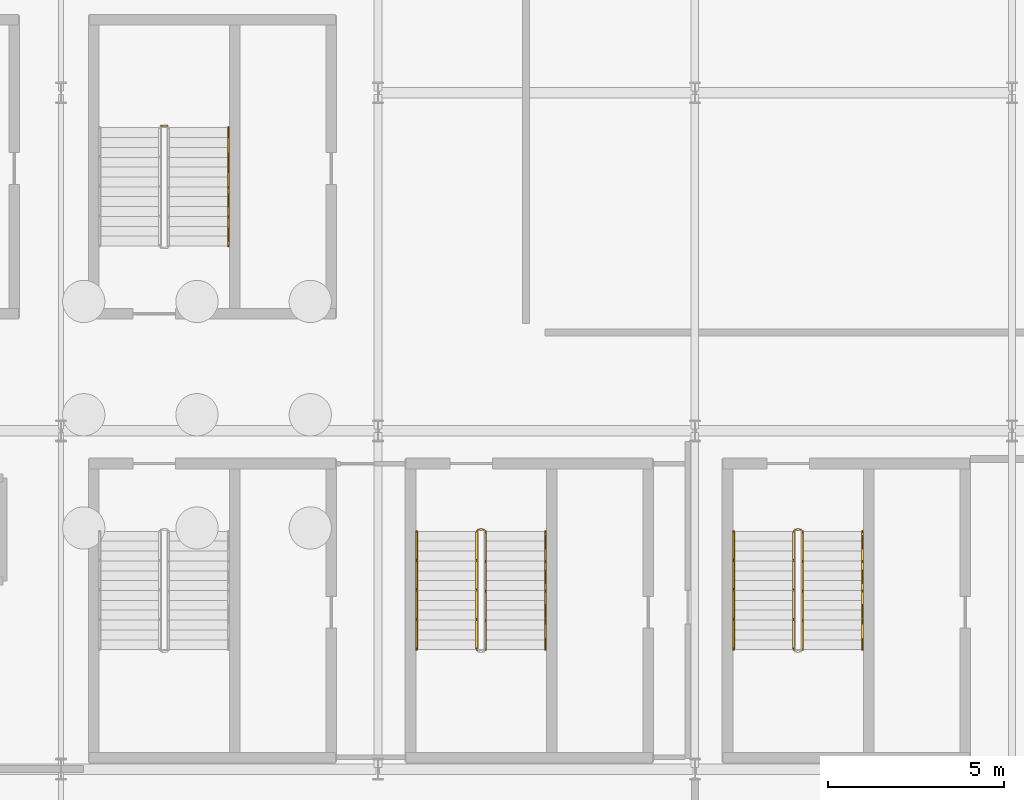
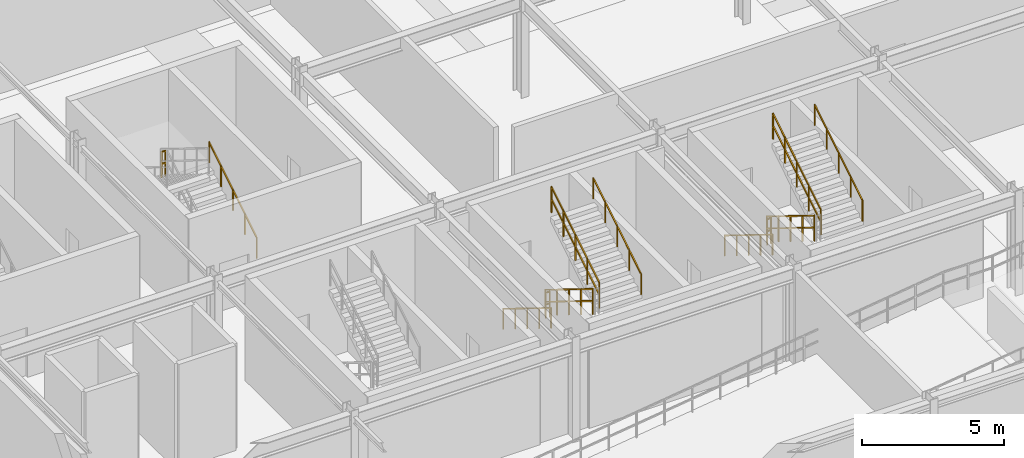
# One storey, part 53 of 59: 12 railings.
"""IFC4 building model written with IfcOpenShell, lengths in metres."""

from ifc_helpers import new_model, si_unit, direction, frame, origin, origin_2d, place, context, subcontext, project, spatial, rectangle, extrude, material, type_object, element, save


model = new_model("IFC4")

# Units and contexts
model_context = context("Model", 3, precision=1e-05, world=origin(), true_north=direction((0.0, 1.0)))
body_context = subcontext(model_context, "Body", "Model", "MODEL_VIEW")
ifc_project = project(units=[si_unit("LENGTHUNIT", "METRE"), si_unit("AREAUNIT", "SQUARE_METRE"), si_unit("VOLUMEUNIT", "CUBIC_METRE"), si_unit("PLANEANGLEUNIT", "RADIAN"), si_unit("MASSUNIT", "GRAM", prefix="KILO")], contexts=[model_context])

# Site, building, storey
site_placement = place(None, origin())
site = spatial("IfcSite", under=ifc_project, at=site_placement, CompositionType="ELEMENT")
building_placement = place(site_placement, origin())
building = spatial("IfcBuilding", under=site, at=building_placement, Name="Myrtia Square Station", CompositionType="ELEMENT")
storey_placement = place(building_placement, frame((0.0, 0.0, -4.5)))
storey = spatial("IfcBuildingStorey", under=building, at=storey_placement, Name="B01", CompositionType="ELEMENT", Elevation=-4.5)

# Railings
ifc_material_1 = material(Name="Dark bronze anodised aluminium", Category="aluminium")
railing_type_1 = type_object("IfcRailingType", Name="RL-HANDRAIL-900", PredefinedType="HANDRAIL", material=ifc_material_1)
railing_1_placement = place(storey_placement, frame((139.760009765625, 24.449951171875, 0.173095703125)))
element("IfcRailing", 1, at=railing_1_placement, inside=storey, type_object=railing_type_1, Name="B01 ST09 stair handrail 1", PredefinedType="HANDRAIL", context=body_context, shape_type="SweptSolid", body=[
    extrude(rectangle(XDim=0.048095703125, YDim=0.048095703125, at=origin_2d()), frame((0.0, 0.029541015625, 0.89404296875), z_axis=(0.0, 0.850623216509, 0.525775754039), x_axis=(-1.0, 0.0, 0.0)), (0.0, 0.0, 1.0), 0.918212890625),
    extrude(rectangle(XDim=0.048095703125, YDim=0.048095703125, at=origin_2d()), frame((0.0, 0.869384765625, 1.413330078125), z_axis=(0.0, 0.850623216509, 0.525775754039), x_axis=(-1.0, 0.0, 0.0)), (0.0, 0.0, 1.0), 0.918212890625),
    extrude(rectangle(XDim=0.048095703125, YDim=0.048095703125, at=origin_2d()), frame((0.0, 1.70947265625, 1.9326171875), z_axis=(0.0, 0.850623216509, 0.525775754039), x_axis=(-1.0, 0.0, 0.0)), (0.0, 0.0, 1.0), 0.918212890625),
    extrude(rectangle(XDim=0.048095703125, YDim=0.048095703125, at=origin_2d()), frame((0.0, 2.549560546875, 2.45166015625), z_axis=(0.0, 0.850623216509, 0.525775754039), x_axis=(-1.0, 0.0, 0.0)), (0.0, 0.0, 1.0), 0.918212890625),
    extrude(rectangle(XDim=0.0439453125, YDim=0.0439453125, at=origin_2d()), origin(), (0.0, 0.0, 1.0), 0.89990234375),
    extrude(rectangle(XDim=0.0439453125, YDim=0.0439453125, at=origin_2d()), frame((0.0, 0.840087890625, 0.519287109375)), (0.0, 0.0, 1.0), 0.89990234375),
    extrude(rectangle(XDim=0.0439453125, YDim=0.0439453125, at=origin_2d()), frame((0.0, 1.68017578125, 1.03857421875)), (0.0, 0.0, 1.0), 0.89990234375),
    extrude(rectangle(XDim=0.0439453125, YDim=0.0439453125, at=origin_2d()), frame((0.0, 2.52001953125, 1.5576171875)), (0.0, 0.0, 1.0), 0.89990234375),
    extrude(rectangle(XDim=0.0439453125, YDim=0.0439453125, at=origin_2d()), frame((0.0, 3.360107421875, 2.076904296875)), (0.0, 0.0, 1.0), 0.89990234375),
])
railing_2_placement = place(storey_placement, frame((145.10009765625, 16.35009765625, 0.173095703125)))
element("IfcRailing", 2, at=railing_2_placement, inside=storey, type_object=railing_type_1, Name="B01 ST11 stair handrail 1", PredefinedType="HANDRAIL", context=body_context, shape_type="SweptSolid", body=[
    extrude(rectangle(XDim=0.048095703125, YDim=0.048095703125, at=origin_2d()), frame((0.0, -0.029541015625, 0.89404296875), z_axis=(0.0, -0.850623216509, 0.525775754039), x_axis=(1.0, 0.0, 0.0)), (0.0, 0.0, 1.0), 0.918212890625),
    extrude(rectangle(XDim=0.048095703125, YDim=0.048095703125, at=origin_2d()), frame((0.0, -0.869384765625, 1.413330078125), z_axis=(0.0, -0.850623216509, 0.525775754039), x_axis=(1.0, 0.0, 0.0)), (0.0, 0.0, 1.0), 0.918212890625),
    extrude(rectangle(XDim=0.048095703125, YDim=0.048095703125, at=origin_2d()), frame((0.0, -1.70947265625, 1.9326171875), z_axis=(0.0, -0.850623216509, 0.525775754039), x_axis=(1.0, 0.0, 0.0)), (0.0, 0.0, 1.0), 0.918212890625),
    extrude(rectangle(XDim=0.048095703125, YDim=0.048095703125, at=origin_2d()), frame((0.0, -2.549560546875, 2.45166015625), z_axis=(0.0, -0.850623216509, 0.525775754039), x_axis=(1.0, 0.0, 0.0)), (0.0, 0.0, 1.0), 0.918212890625),
    extrude(rectangle(XDim=0.0439453125, YDim=0.0439453125, at=origin_2d()), origin(), (0.0, 0.0, 1.0), 0.89990234375),
    extrude(rectangle(XDim=0.0439453125, YDim=0.0439453125, at=origin_2d()), frame((0.0, -0.840087890625, 0.519287109375)), (0.0, 0.0, 1.0), 0.89990234375),
    extrude(rectangle(XDim=0.0439453125, YDim=0.0439453125, at=origin_2d()), frame((0.0, -1.68017578125, 1.03857421875)), (0.0, 0.0, 1.0), 0.89990234375),
    extrude(rectangle(XDim=0.0439453125, YDim=0.0439453125, at=origin_2d()), frame((0.0, -2.52001953125, 1.5576171875)), (0.0, 0.0, 1.0), 0.89990234375),
    extrude(rectangle(XDim=0.0439453125, YDim=0.0439453125, at=origin_2d()), frame((0.0, -3.360107421875, 2.076904296875)), (0.0, 0.0, 1.0), 0.89990234375),
])
railing_3_placement = place(storey_placement, frame((148.760009765625, 12.989990234375, 2.423095703125)))
element("IfcRailing", 3, at=railing_3_placement, inside=storey, type_object=railing_type_1, Name="B01 ST11 stair handrail 2", PredefinedType="HANDRAIL", context=body_context, shape_type="SweptSolid", body=[
    extrude(rectangle(XDim=0.048095703125, YDim=0.048095703125, at=origin_2d()), frame((0.0, 0.029541015625, 0.89404296875), z_axis=(0.0, 0.850623216509, 0.525775754039), x_axis=(-1.0, 0.0, 0.0)), (0.0, 0.0, 1.0), 0.918212890625),
    extrude(rectangle(XDim=0.048095703125, YDim=0.048095703125, at=origin_2d()), frame((0.0, 0.869384765625, 1.413330078125), z_axis=(0.0, 0.850623216509, 0.525775754039), x_axis=(-1.0, 0.0, 0.0)), (0.0, 0.0, 1.0), 0.918212890625),
    extrude(rectangle(XDim=0.048095703125, YDim=0.048095703125, at=origin_2d()), frame((0.0, 1.70947265625, 1.9326171875), z_axis=(0.0, 0.850623216509, 0.525775754039), x_axis=(-1.0, 0.0, 0.0)), (0.0, 0.0, 1.0), 0.918212890625),
    extrude(rectangle(XDim=0.048095703125, YDim=0.048095703125, at=origin_2d()), frame((0.0, 2.549560546875, 2.45166015625), z_axis=(0.0, 0.850623216509, 0.525775754039), x_axis=(-1.0, 0.0, 0.0)), (0.0, 0.0, 1.0), 0.918212890625),
    extrude(rectangle(XDim=0.0439453125, YDim=0.0439453125, at=origin_2d()), origin(), (0.0, 0.0, 1.0), 0.89990234375),
    extrude(rectangle(XDim=0.0439453125, YDim=0.0439453125, at=origin_2d()), frame((0.0, 0.840087890625, 0.519287109375)), (0.0, 0.0, 1.0), 0.89990234375),
    extrude(rectangle(XDim=0.0439453125, YDim=0.0439453125, at=origin_2d()), frame((0.0, 1.68017578125, 1.03857421875)), (0.0, 0.0, 1.0), 0.89990234375),
    extrude(rectangle(XDim=0.0439453125, YDim=0.0439453125, at=origin_2d()), frame((0.0, 2.52001953125, 1.5576171875)), (0.0, 0.0, 1.0), 0.89990234375),
    extrude(rectangle(XDim=0.0439453125, YDim=0.0439453125, at=origin_2d()), frame((0.0, 3.360107421875, 2.076904296875)), (0.0, 0.0, 1.0), 0.89990234375),
])
railing_4_placement = place(storey_placement, frame((154.10009765625, 16.35009765625, 0.173095703125)))
element("IfcRailing", 4, at=railing_4_placement, inside=storey, type_object=railing_type_1, Name="B01 ST14 stair handrail 1", PredefinedType="HANDRAIL", context=body_context, shape_type="SweptSolid", body=[
    extrude(rectangle(XDim=0.048095703125, YDim=0.048095703125, at=origin_2d()), frame((0.0, -0.029541015625, 0.89404296875), z_axis=(0.0, -0.850623216509, 0.525775754039), x_axis=(1.0, 0.0, 0.0)), (0.0, 0.0, 1.0), 0.918212890625),
    extrude(rectangle(XDim=0.048095703125, YDim=0.048095703125, at=origin_2d()), frame((0.0, -0.869384765625, 1.413330078125), z_axis=(0.0, -0.850623216509, 0.525775754039), x_axis=(1.0, 0.0, 0.0)), (0.0, 0.0, 1.0), 0.918212890625),
    extrude(rectangle(XDim=0.048095703125, YDim=0.048095703125, at=origin_2d()), frame((0.0, -1.70947265625, 1.9326171875), z_axis=(0.0, -0.850623216509, 0.525775754039), x_axis=(1.0, 0.0, 0.0)), (0.0, 0.0, 1.0), 0.918212890625),
    extrude(rectangle(XDim=0.048095703125, YDim=0.048095703125, at=origin_2d()), frame((0.0, -2.549560546875, 2.45166015625), z_axis=(0.0, -0.850623216509, 0.525775754039), x_axis=(1.0, 0.0, 0.0)), (0.0, 0.0, 1.0), 0.918212890625),
    extrude(rectangle(XDim=0.0439453125, YDim=0.0439453125, at=origin_2d()), origin(), (0.0, 0.0, 1.0), 0.89990234375),
    extrude(rectangle(XDim=0.0439453125, YDim=0.0439453125, at=origin_2d()), frame((0.0, -0.840087890625, 0.519287109375)), (0.0, 0.0, 1.0), 0.89990234375),
    extrude(rectangle(XDim=0.0439453125, YDim=0.0439453125, at=origin_2d()), frame((0.0, -1.68017578125, 1.03857421875)), (0.0, 0.0, 1.0), 0.89990234375),
    extrude(rectangle(XDim=0.0439453125, YDim=0.0439453125, at=origin_2d()), frame((0.0, -2.52001953125, 1.5576171875)), (0.0, 0.0, 1.0), 0.89990234375),
    extrude(rectangle(XDim=0.0439453125, YDim=0.0439453125, at=origin_2d()), frame((0.0, -3.360107421875, 2.076904296875)), (0.0, 0.0, 1.0), 0.89990234375),
])
railing_5_placement = place(storey_placement, frame((157.760009765625, 12.989990234375, 2.423095703125)))
element("IfcRailing", 5, at=railing_5_placement, inside=storey, type_object=railing_type_1, Name="B01 ST14 stair handrail 2", PredefinedType="HANDRAIL", context=body_context, shape_type="SweptSolid", body=[
    extrude(rectangle(XDim=0.048095703125, YDim=0.048095703125, at=origin_2d()), frame((0.0, 0.029541015625, 0.89404296875), z_axis=(0.0, 0.850623216509, 0.525775754039), x_axis=(-1.0, 0.0, 0.0)), (0.0, 0.0, 1.0), 0.918212890625),
    extrude(rectangle(XDim=0.048095703125, YDim=0.048095703125, at=origin_2d()), frame((0.0, 0.869384765625, 1.413330078125), z_axis=(0.0, 0.850623216509, 0.525775754039), x_axis=(-1.0, 0.0, 0.0)), (0.0, 0.0, 1.0), 0.918212890625),
    extrude(rectangle(XDim=0.048095703125, YDim=0.048095703125, at=origin_2d()), frame((0.0, 1.70947265625, 1.9326171875), z_axis=(0.0, 0.850623216509, 0.525775754039), x_axis=(-1.0, 0.0, 0.0)), (0.0, 0.0, 1.0), 0.918212890625),
    extrude(rectangle(XDim=0.048095703125, YDim=0.048095703125, at=origin_2d()), frame((0.0, 2.549560546875, 2.45166015625), z_axis=(0.0, 0.850623216509, 0.525775754039), x_axis=(-1.0, 0.0, 0.0)), (0.0, 0.0, 1.0), 0.918212890625),
    extrude(rectangle(XDim=0.0439453125, YDim=0.0439453125, at=origin_2d()), origin(), (0.0, 0.0, 1.0), 0.89990234375),
    extrude(rectangle(XDim=0.0439453125, YDim=0.0439453125, at=origin_2d()), frame((0.0, 0.840087890625, 0.519287109375)), (0.0, 0.0, 1.0), 0.89990234375),
    extrude(rectangle(XDim=0.0439453125, YDim=0.0439453125, at=origin_2d()), frame((0.0, 1.68017578125, 1.03857421875)), (0.0, 0.0, 1.0), 0.89990234375),
    extrude(rectangle(XDim=0.0439453125, YDim=0.0439453125, at=origin_2d()), frame((0.0, 2.52001953125, 1.5576171875)), (0.0, 0.0, 1.0), 0.89990234375),
    extrude(rectangle(XDim=0.0439453125, YDim=0.0439453125, at=origin_2d()), frame((0.0, 3.360107421875, 2.076904296875)), (0.0, 0.0, 1.0), 0.89990234375),
])
ifc_material_2 = material(Name="Wrought iron", Category="steel")
railing_type_2 = type_object("IfcRailingType", Name="RL-INT-GUARD-1100", PredefinedType="BALUSTRADE", material=ifc_material_2)
railing_6_placement = place(storey_placement, frame((138.010009765625, 27.860107421875, 2.25)))
element("IfcRailing", 6, at=railing_6_placement, inside=storey, type_object=railing_type_2, Name="B01 ST09 stair guard 2", PredefinedType="BALUSTRADE", context=body_context, shape_type="SweptSolid", body=[
    extrude(rectangle(XDim=0.048095703125, YDim=0.048095703125, at=origin_2d()), frame((-0.03466796875, 0.0, 1.09619140625), z_axis=(-1.0, 0.0, 0.0), x_axis=(0.0, -1.0, 0.0)), (0.0, 0.0, 1.0), 0.090576171875),
    extrude(rectangle(XDim=0.048095703125, YDim=0.048095703125, at=origin_2d()), frame((-0.03466796875, 0.0, 0.58251953125), z_axis=(-1.0, 0.0, 0.0), x_axis=(0.0, -1.0, 0.0)), (0.0, 0.0, 1.0), 0.090576171875),
    extrude(rectangle(XDim=0.0439453125, YDim=0.0439453125, at=origin_2d()), origin(), (0.0, 0.0, 1.0), 1.1201171875),
    extrude(rectangle(XDim=0.0439453125, YDim=0.0439453125, at=origin_2d()), frame((-0.159912109375, 0.0, 0.0)), (0.0, 0.0, 1.0), 1.1201171875),
])
railing_7_placement = place(storey_placement, frame((146.800048828125, 16.35009765625, 0.173095703125)))
element("IfcRailing", 7, at=railing_7_placement, inside=storey, type_object=railing_type_2, Name="B01 ST11 stair guard 1", PredefinedType="BALUSTRADE", context=body_context, shape_type="SweptSolid", body=[
    extrude(rectangle(XDim=0.048095703125, YDim=0.048095703125, at=origin_2d()), frame((0.0, -0.029541015625, 1.1142578125), z_axis=(0.0, -0.850623216509, 0.525775754039), x_axis=(1.0, 0.0, 0.0)), (0.0, 0.0, 1.0), 0.918212890625),
    extrude(rectangle(XDim=0.048095703125, YDim=0.048095703125, at=origin_2d()), frame((0.0, -0.029541015625, 0.6005859375), z_axis=(0.0, -0.850623216509, 0.525775754039), x_axis=(1.0, 0.0, 0.0)), (0.0, 0.0, 1.0), 0.918212890625),
    extrude(rectangle(XDim=0.048095703125, YDim=0.048095703125, at=origin_2d()), frame((0.0, -0.869384765625, 1.633544921875), z_axis=(0.0, -0.850623216509, 0.525775754039), x_axis=(1.0, 0.0, 0.0)), (0.0, 0.0, 1.0), 0.918212890625),
    extrude(rectangle(XDim=0.048095703125, YDim=0.048095703125, at=origin_2d()), frame((0.0, -0.869384765625, 1.119873046875), z_axis=(0.0, -0.850623216509, 0.525775754039), x_axis=(1.0, 0.0, 0.0)), (0.0, 0.0, 1.0), 0.918212890625),
    extrude(rectangle(XDim=0.048095703125, YDim=0.048095703125, at=origin_2d()), frame((0.0, -1.70947265625, 2.15283203125), z_axis=(0.0, -0.850623216509, 0.525775754039), x_axis=(1.0, 0.0, 0.0)), (0.0, 0.0, 1.0), 0.918212890625),
    extrude(rectangle(XDim=0.048095703125, YDim=0.048095703125, at=origin_2d()), frame((0.0, -1.70947265625, 1.63916015625), z_axis=(0.0, -0.850623216509, 0.525775754039), x_axis=(1.0, 0.0, 0.0)), (0.0, 0.0, 1.0), 0.918212890625),
    extrude(rectangle(XDim=0.048095703125, YDim=0.048095703125, at=origin_2d()), frame((0.0, -2.549560546875, 2.671875), z_axis=(0.0, -0.850623216509, 0.525775754039), x_axis=(1.0, 0.0, 0.0)), (0.0, 0.0, 1.0), 0.918212890625),
    extrude(rectangle(XDim=0.048095703125, YDim=0.048095703125, at=origin_2d()), frame((0.0, -2.549560546875, 2.158447265625), z_axis=(0.0, -0.850623216509, 0.525775754039), x_axis=(1.0, 0.0, 0.0)), (0.0, 0.0, 1.0), 0.918212890625),
    extrude(rectangle(XDim=0.0439453125, YDim=0.0439453125, at=origin_2d()), origin(), (0.0, 0.0, 1.0), 1.1201171875),
    extrude(rectangle(XDim=0.0439453125, YDim=0.0439453125, at=origin_2d()), frame((0.0, -0.840087890625, 0.519287109375)), (0.0, 0.0, 1.0), 1.1201171875),
    extrude(rectangle(XDim=0.0439453125, YDim=0.0439453125, at=origin_2d()), frame((0.0, -1.68017578125, 1.03857421875)), (0.0, 0.0, 1.0), 1.1201171875),
    extrude(rectangle(XDim=0.0439453125, YDim=0.0439453125, at=origin_2d()), frame((0.0, -2.52001953125, 1.5576171875)), (0.0, 0.0, 1.0), 1.1201171875),
    extrude(rectangle(XDim=0.0439453125, YDim=0.0439453125, at=origin_2d()), frame((0.0, -3.360107421875, 2.076904296875)), (0.0, 0.0, 1.0), 1.1201171875),
])
railing_8_placement = place(storey_placement, frame((147.06005859375, 12.989990234375, 2.423095703125)))
element("IfcRailing", 8, at=railing_8_placement, inside=storey, type_object=railing_type_2, Name="B01 ST11 stair guard 3", PredefinedType="BALUSTRADE", context=body_context, shape_type="SweptSolid", body=[
    extrude(rectangle(XDim=0.048095703125, YDim=0.048095703125, at=origin_2d()), frame((0.0, 0.029541015625, 1.1142578125), z_axis=(0.0, 0.850623216509, 0.525775754039), x_axis=(-1.0, 0.0, 0.0)), (0.0, 0.0, 1.0), 0.918212890625),
    extrude(rectangle(XDim=0.048095703125, YDim=0.048095703125, at=origin_2d()), frame((0.0, 0.029541015625, 0.6005859375), z_axis=(0.0, 0.850623216509, 0.525775754039), x_axis=(-1.0, 0.0, 0.0)), (0.0, 0.0, 1.0), 0.918212890625),
    extrude(rectangle(XDim=0.048095703125, YDim=0.048095703125, at=origin_2d()), frame((0.0, 0.869384765625, 1.633544921875), z_axis=(0.0, 0.850623216509, 0.525775754039), x_axis=(-1.0, 0.0, 0.0)), (0.0, 0.0, 1.0), 0.918212890625),
    extrude(rectangle(XDim=0.048095703125, YDim=0.048095703125, at=origin_2d()), frame((0.0, 0.869384765625, 1.119873046875), z_axis=(0.0, 0.850623216509, 0.525775754039), x_axis=(-1.0, 0.0, 0.0)), (0.0, 0.0, 1.0), 0.918212890625),
    extrude(rectangle(XDim=0.048095703125, YDim=0.048095703125, at=origin_2d()), frame((0.0, 1.70947265625, 2.15283203125), z_axis=(0.0, 0.850623216509, 0.525775754039), x_axis=(-1.0, 0.0, 0.0)), (0.0, 0.0, 1.0), 0.918212890625),
    extrude(rectangle(XDim=0.048095703125, YDim=0.048095703125, at=origin_2d()), frame((0.0, 1.70947265625, 1.63916015625), z_axis=(0.0, 0.850623216509, 0.525775754039), x_axis=(-1.0, 0.0, 0.0)), (0.0, 0.0, 1.0), 0.918212890625),
    extrude(rectangle(XDim=0.048095703125, YDim=0.048095703125, at=origin_2d()), frame((0.0, 2.549560546875, 2.671875), z_axis=(0.0, 0.850623216509, 0.525775754039), x_axis=(-1.0, 0.0, 0.0)), (0.0, 0.0, 1.0), 0.918212890625),
    extrude(rectangle(XDim=0.048095703125, YDim=0.048095703125, at=origin_2d()), frame((0.0, 2.549560546875, 2.158447265625), z_axis=(0.0, 0.850623216509, 0.525775754039), x_axis=(-1.0, 0.0, 0.0)), (0.0, 0.0, 1.0), 0.918212890625),
    extrude(rectangle(XDim=0.0439453125, YDim=0.0439453125, at=origin_2d()), origin(), (0.0, 0.0, 1.0), 1.1201171875),
    extrude(rectangle(XDim=0.0439453125, YDim=0.0439453125, at=origin_2d()), frame((0.0, 0.840087890625, 0.519287109375)), (0.0, 0.0, 1.0), 1.1201171875),
    extrude(rectangle(XDim=0.0439453125, YDim=0.0439453125, at=origin_2d()), frame((0.0, 1.68017578125, 1.03857421875)), (0.0, 0.0, 1.0), 1.1201171875),
    extrude(rectangle(XDim=0.0439453125, YDim=0.0439453125, at=origin_2d()), frame((0.0, 2.52001953125, 1.5576171875)), (0.0, 0.0, 1.0), 1.1201171875),
    extrude(rectangle(XDim=0.0439453125, YDim=0.0439453125, at=origin_2d()), frame((0.0, 3.360107421875, 2.076904296875)), (0.0, 0.0, 1.0), 1.1201171875),
])
railing_9_placement = place(storey_placement, frame((146.85009765625, 16.39990234375, 0.0)))
element("IfcRailing", 9, at=railing_9_placement, inside=storey, type_object=railing_type_2, Name="B01 ST11 stair guard 4", PredefinedType="BALUSTRADE", context=body_context, shape_type="SweptSolid", body=[
    extrude(rectangle(XDim=0.048095703125, YDim=0.048095703125, at=origin_2d()), frame((0.03466796875, 0.0, 1.09619140625), z_axis=(1.0, 0.0, 0.0), x_axis=(0.0, 1.0, 0.0)), (0.0, 0.0, 1.0), 0.090576171875),
    extrude(rectangle(XDim=0.048095703125, YDim=0.048095703125, at=origin_2d()), frame((0.03466796875, 0.0, 0.58251953125), z_axis=(1.0, 0.0, 0.0), x_axis=(0.0, 1.0, 0.0)), (0.0, 0.0, 1.0), 0.090576171875),
    extrude(rectangle(XDim=0.0439453125, YDim=0.0439453125, at=origin_2d()), origin(), (0.0, 0.0, 1.0), 1.1201171875),
    extrude(rectangle(XDim=0.0439453125, YDim=0.0439453125, at=origin_2d()), frame((0.159912109375, 0.0, 0.0)), (0.0, 0.0, 1.0), 1.1201171875),
])
railing_10_placement = place(storey_placement, frame((155.800048828125, 16.35009765625, 0.173095703125)))
element("IfcRailing", 10, at=railing_10_placement, inside=storey, type_object=railing_type_2, Name="B01 ST14 stair guard 1", PredefinedType="BALUSTRADE", context=body_context, shape_type="SweptSolid", body=[
    extrude(rectangle(XDim=0.048095703125, YDim=0.048095703125, at=origin_2d()), frame((0.0, -0.029541015625, 1.1142578125), z_axis=(0.0, -0.850623216509, 0.525775754039), x_axis=(1.0, 0.0, 0.0)), (0.0, 0.0, 1.0), 0.918212890625),
    extrude(rectangle(XDim=0.048095703125, YDim=0.048095703125, at=origin_2d()), frame((0.0, -0.029541015625, 0.6005859375), z_axis=(0.0, -0.850623216509, 0.525775754039), x_axis=(1.0, 0.0, 0.0)), (0.0, 0.0, 1.0), 0.918212890625),
    extrude(rectangle(XDim=0.048095703125, YDim=0.048095703125, at=origin_2d()), frame((0.0, -0.869384765625, 1.633544921875), z_axis=(0.0, -0.850623216509, 0.525775754039), x_axis=(1.0, 0.0, 0.0)), (0.0, 0.0, 1.0), 0.918212890625),
    extrude(rectangle(XDim=0.048095703125, YDim=0.048095703125, at=origin_2d()), frame((0.0, -0.869384765625, 1.119873046875), z_axis=(0.0, -0.850623216509, 0.525775754039), x_axis=(1.0, 0.0, 0.0)), (0.0, 0.0, 1.0), 0.918212890625),
    extrude(rectangle(XDim=0.048095703125, YDim=0.048095703125, at=origin_2d()), frame((0.0, -1.70947265625, 2.15283203125), z_axis=(0.0, -0.850623216509, 0.525775754039), x_axis=(1.0, 0.0, 0.0)), (0.0, 0.0, 1.0), 0.918212890625),
    extrude(rectangle(XDim=0.048095703125, YDim=0.048095703125, at=origin_2d()), frame((0.0, -1.70947265625, 1.63916015625), z_axis=(0.0, -0.850623216509, 0.525775754039), x_axis=(1.0, 0.0, 0.0)), (0.0, 0.0, 1.0), 0.918212890625),
    extrude(rectangle(XDim=0.048095703125, YDim=0.048095703125, at=origin_2d()), frame((0.0, -2.549560546875, 2.671875), z_axis=(0.0, -0.850623216509, 0.525775754039), x_axis=(1.0, 0.0, 0.0)), (0.0, 0.0, 1.0), 0.918212890625),
    extrude(rectangle(XDim=0.048095703125, YDim=0.048095703125, at=origin_2d()), frame((0.0, -2.549560546875, 2.158447265625), z_axis=(0.0, -0.850623216509, 0.525775754039), x_axis=(1.0, 0.0, 0.0)), (0.0, 0.0, 1.0), 0.918212890625),
    extrude(rectangle(XDim=0.0439453125, YDim=0.0439453125, at=origin_2d()), origin(), (0.0, 0.0, 1.0), 1.1201171875),
    extrude(rectangle(XDim=0.0439453125, YDim=0.0439453125, at=origin_2d()), frame((0.0, -0.840087890625, 0.519287109375)), (0.0, 0.0, 1.0), 1.1201171875),
    extrude(rectangle(XDim=0.0439453125, YDim=0.0439453125, at=origin_2d()), frame((0.0, -1.68017578125, 1.03857421875)), (0.0, 0.0, 1.0), 1.1201171875),
    extrude(rectangle(XDim=0.0439453125, YDim=0.0439453125, at=origin_2d()), frame((0.0, -2.52001953125, 1.5576171875)), (0.0, 0.0, 1.0), 1.1201171875),
    extrude(rectangle(XDim=0.0439453125, YDim=0.0439453125, at=origin_2d()), frame((0.0, -3.360107421875, 2.076904296875)), (0.0, 0.0, 1.0), 1.1201171875),
])
railing_11_placement = place(storey_placement, frame((156.06005859375, 12.989990234375, 2.423095703125)))
element("IfcRailing", 11, at=railing_11_placement, inside=storey, type_object=railing_type_2, Name="B01 ST14 stair guard 3", PredefinedType="BALUSTRADE", context=body_context, shape_type="SweptSolid", body=[
    extrude(rectangle(XDim=0.048095703125, YDim=0.048095703125, at=origin_2d()), frame((0.0, 0.029541015625, 1.1142578125), z_axis=(0.0, 0.850623216509, 0.525775754039), x_axis=(-1.0, 0.0, 0.0)), (0.0, 0.0, 1.0), 0.918212890625),
    extrude(rectangle(XDim=0.048095703125, YDim=0.048095703125, at=origin_2d()), frame((0.0, 0.029541015625, 0.6005859375), z_axis=(0.0, 0.850623216509, 0.525775754039), x_axis=(-1.0, 0.0, 0.0)), (0.0, 0.0, 1.0), 0.918212890625),
    extrude(rectangle(XDim=0.048095703125, YDim=0.048095703125, at=origin_2d()), frame((0.0, 0.869384765625, 1.633544921875), z_axis=(0.0, 0.850623216509, 0.525775754039), x_axis=(-1.0, 0.0, 0.0)), (0.0, 0.0, 1.0), 0.918212890625),
    extrude(rectangle(XDim=0.048095703125, YDim=0.048095703125, at=origin_2d()), frame((0.0, 0.869384765625, 1.119873046875), z_axis=(0.0, 0.850623216509, 0.525775754039), x_axis=(-1.0, 0.0, 0.0)), (0.0, 0.0, 1.0), 0.918212890625),
    extrude(rectangle(XDim=0.048095703125, YDim=0.048095703125, at=origin_2d()), frame((0.0, 1.70947265625, 2.15283203125), z_axis=(0.0, 0.850623216509, 0.525775754039), x_axis=(-1.0, 0.0, 0.0)), (0.0, 0.0, 1.0), 0.918212890625),
    extrude(rectangle(XDim=0.048095703125, YDim=0.048095703125, at=origin_2d()), frame((0.0, 1.70947265625, 1.63916015625), z_axis=(0.0, 0.850623216509, 0.525775754039), x_axis=(-1.0, 0.0, 0.0)), (0.0, 0.0, 1.0), 0.918212890625),
    extrude(rectangle(XDim=0.048095703125, YDim=0.048095703125, at=origin_2d()), frame((0.0, 2.549560546875, 2.671875), z_axis=(0.0, 0.850623216509, 0.525775754039), x_axis=(-1.0, 0.0, 0.0)), (0.0, 0.0, 1.0), 0.918212890625),
    extrude(rectangle(XDim=0.048095703125, YDim=0.048095703125, at=origin_2d()), frame((0.0, 2.549560546875, 2.158447265625), z_axis=(0.0, 0.850623216509, 0.525775754039), x_axis=(-1.0, 0.0, 0.0)), (0.0, 0.0, 1.0), 0.918212890625),
    extrude(rectangle(XDim=0.0439453125, YDim=0.0439453125, at=origin_2d()), origin(), (0.0, 0.0, 1.0), 1.1201171875),
    extrude(rectangle(XDim=0.0439453125, YDim=0.0439453125, at=origin_2d()), frame((0.0, 0.840087890625, 0.519287109375)), (0.0, 0.0, 1.0), 1.1201171875),
    extrude(rectangle(XDim=0.0439453125, YDim=0.0439453125, at=origin_2d()), frame((0.0, 1.68017578125, 1.03857421875)), (0.0, 0.0, 1.0), 1.1201171875),
    extrude(rectangle(XDim=0.0439453125, YDim=0.0439453125, at=origin_2d()), frame((0.0, 2.52001953125, 1.5576171875)), (0.0, 0.0, 1.0), 1.1201171875),
    extrude(rectangle(XDim=0.0439453125, YDim=0.0439453125, at=origin_2d()), frame((0.0, 3.360107421875, 2.076904296875)), (0.0, 0.0, 1.0), 1.1201171875),
])
railing_12_placement = place(storey_placement, frame((155.85009765625, 16.39990234375, 0.0)))
element("IfcRailing", 12, at=railing_12_placement, inside=storey, type_object=railing_type_2, Name="B01 ST14 stair guard 4", PredefinedType="BALUSTRADE", context=body_context, shape_type="SweptSolid", body=[
    extrude(rectangle(XDim=0.048095703125, YDim=0.048095703125, at=origin_2d()), frame((0.03466796875, 0.0, 1.09619140625), z_axis=(1.0, 0.0, 0.0), x_axis=(0.0, 1.0, 0.0)), (0.0, 0.0, 1.0), 0.090576171875),
    extrude(rectangle(XDim=0.048095703125, YDim=0.048095703125, at=origin_2d()), frame((0.03466796875, 0.0, 0.58251953125), z_axis=(1.0, 0.0, 0.0), x_axis=(0.0, 1.0, 0.0)), (0.0, 0.0, 1.0), 0.090576171875),
    extrude(rectangle(XDim=0.0439453125, YDim=0.0439453125, at=origin_2d()), origin(), (0.0, 0.0, 1.0), 1.1201171875),
    extrude(rectangle(XDim=0.0439453125, YDim=0.0439453125, at=origin_2d()), frame((0.159912109375, 0.0, 0.0)), (0.0, 0.0, 1.0), 1.1201171875),
])

save(model, "model.ifc")
